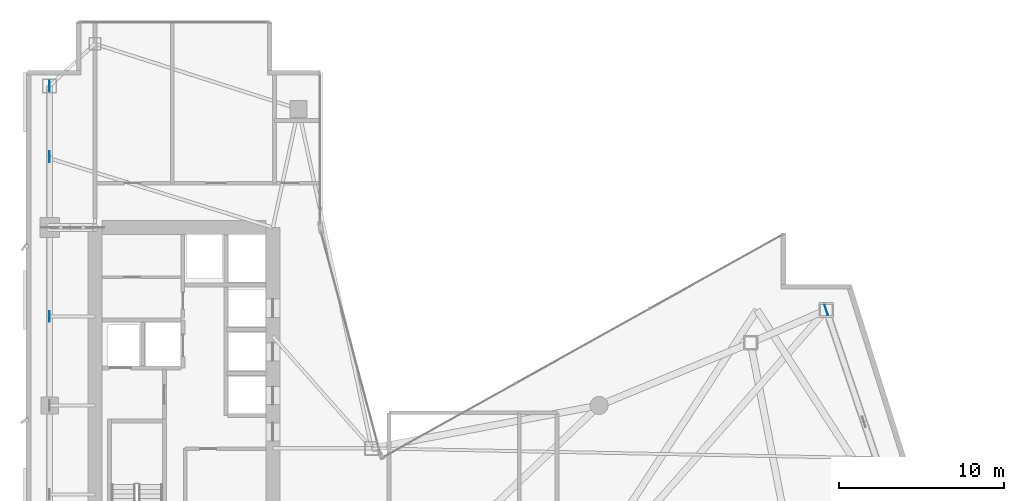
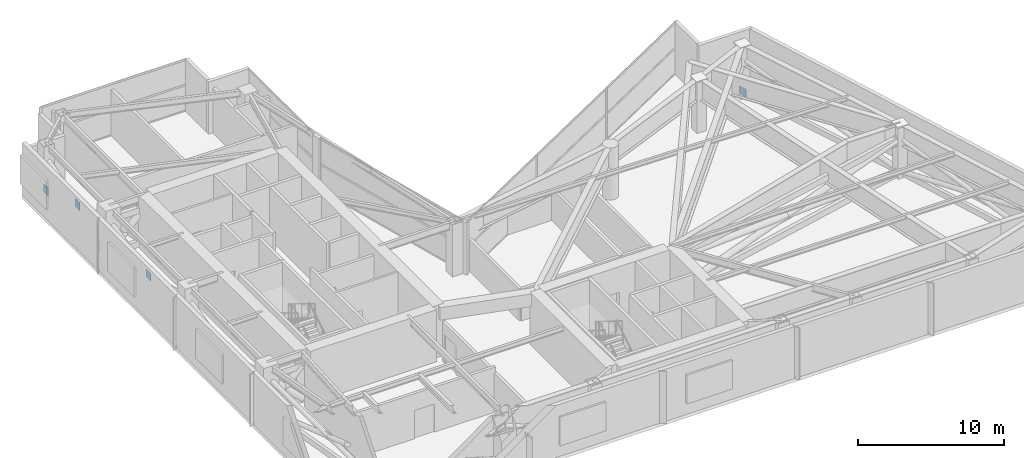
# One storey, part 12 of 17: 4 plates.
"""IFC4 building model written with IfcOpenShell, lengths in metres."""

from ifc_helpers import new_model, si_unit, direction, frame, origin, origin_2d, place, context, subcontext, project, spatial, rectangle, extrude, material, layer, layer_set, type_object, element, save


model = new_model("IFC4")

# Units and contexts
model_context = context("Model", 3, precision=1e-05, world=origin(), true_north=direction((0.0, 1.0)))
body_context = subcontext(model_context, "Body", "Model", "MODEL_VIEW")
ifc_project = project(units=[si_unit("LENGTHUNIT", "METRE"), si_unit("AREAUNIT", "SQUARE_METRE"), si_unit("VOLUMEUNIT", "CUBIC_METRE"), si_unit("PLANEANGLEUNIT", "RADIAN"), si_unit("MASSUNIT", "GRAM", prefix="KILO")], contexts=[model_context])

# Site, building, storey
site_placement = place(None, origin())
site = spatial("IfcSite", under=ifc_project, at=site_placement, CompositionType="ELEMENT")
building_placement = place(site_placement, origin())
building = spatial("IfcBuilding", under=site, at=building_placement, Name="Calvorn Quay Hotel", CompositionType="ELEMENT")
storey_placement = place(building_placement, frame((0.0, 0.0, 186.5)))
storey = spatial("IfcBuildingStorey", under=building, at=storey_placement, Name="L46", CompositionType="ELEMENT", Elevation=186.5)

# Plates
ifc_material = material(Name="Steel Q390GJC", Category="steel")
ifc_layer = layer(ifc_material, 0.035888671875)
ifc_layer_set = layer_set([ifc_layer], Name="PLT-GUSSET-36")
plate_type = type_object("IfcPlateType", Name="PLT-GUSSET-36", PredefinedType="SHEET", material=ifc_layer_set)
for number, where, z_axis, x_axis, name in (
    (1, (1.449951171875, 33.0, 1.425048828125), (0.0, 0.0, 1.0), (0.0, 1.0, 0.0), "Belt Truss Gusset Plate L46-BW3-X"),
    (2, (1.449951171875, 42.699951171875, 1.425048828125), (0.0, 0.0, 1.0), (0.0, 1.0, 0.0), "Belt Truss Gusset Plate L46-BW4-X"),
    (3, (1.449951171875, 47.0, 0.025146484375), (0.0, 0.0, 1.0), (0.0, 1.0, 0.0), "Belt Truss Gusset Plate L46-BW4-B"),
    (4, (48.591064453125, 33.39990234375, 0.025146484375), (0.0, 0.0, 1.0), (-0.319455515932, 0.947601273395, 0.0), "Belt Truss Gusset Plate L46-BE2-B"),
):
    element("IfcPlate", number, at=place(storey_placement, frame(where, z_axis=z_axis, x_axis=x_axis)), inside=storey, type_object=plate_type, Name=name, PredefinedType="SHEET", context=body_context, shape_type="SweptSolid", body=[
        extrude(rectangle(XDim=0.64990234375, YDim=0.035888671875, at=origin_2d()), origin(), (0.0, 0.0, 1.0), 0.64990234375),
    ])

save(model, "model.ifc")
